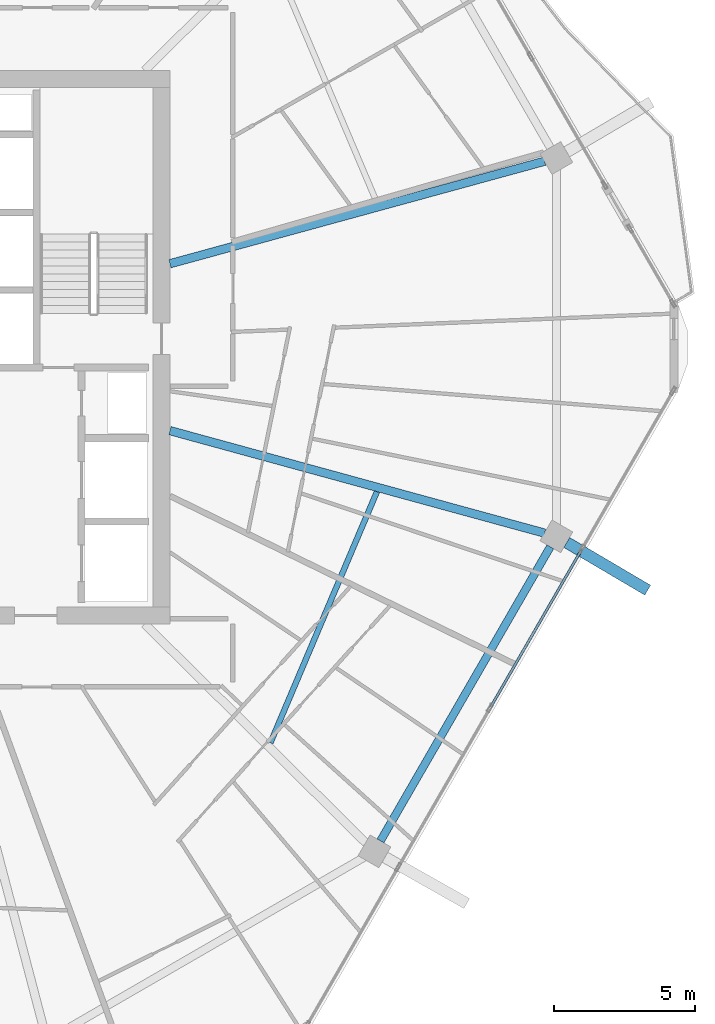
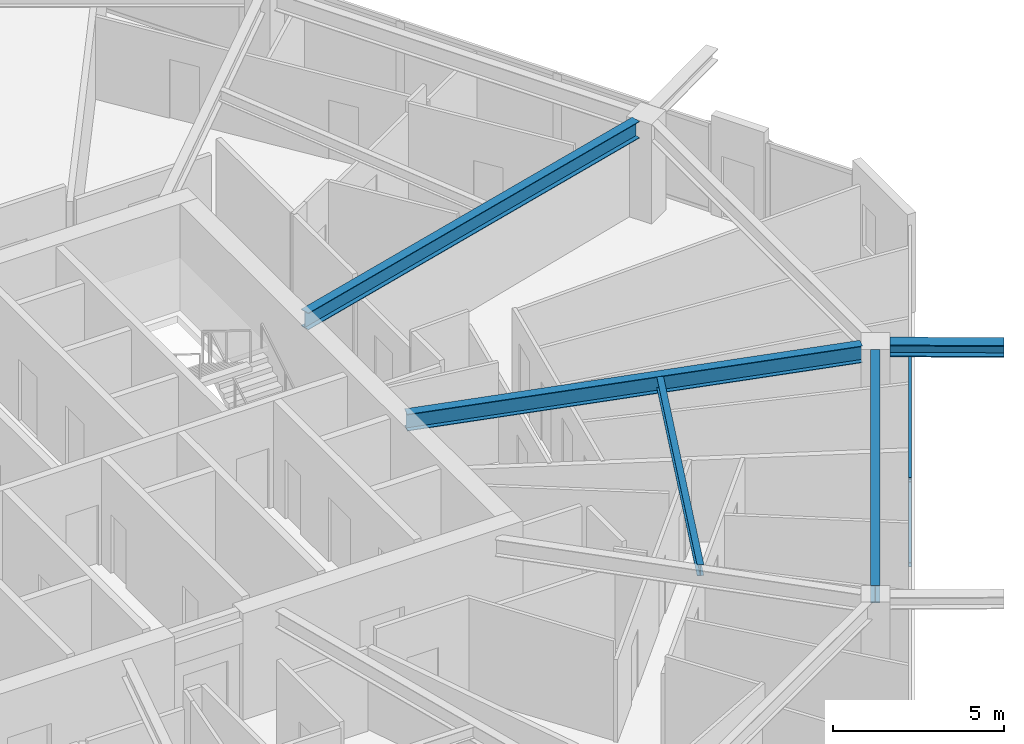
# One storey, part 9 of 26: 5 beams, 2 members, 1 element without a shape of its own.
"""IFC4 building model written with IfcOpenShell, lengths in metres."""

from ifc_helpers import new_model, si_unit, direction, frame, origin, origin_2d, place, context, subcontext, project, spatial, hollow_rectangle, i_section, extrude, material, material_profile, profile_set, type_object, element, aggregate, save


model = new_model("IFC4")

# Units and contexts
model_context = context("Model", 3, precision=1e-05, world=origin(), true_north=direction((0.0, 1.0)))
body_context = subcontext(model_context, "Body", "Model", "MODEL_VIEW")
ifc_project = project(units=[si_unit("LENGTHUNIT", "METRE"), si_unit("AREAUNIT", "SQUARE_METRE"), si_unit("VOLUMEUNIT", "CUBIC_METRE"), si_unit("PLANEANGLEUNIT", "RADIAN"), si_unit("MASSUNIT", "GRAM", prefix="KILO")], contexts=[model_context])

# Site, building, storey
site_placement = place(None, origin())
site = spatial("IfcSite", under=ifc_project, at=site_placement, CompositionType="ELEMENT")
building_placement = place(site_placement, origin())
building = spatial("IfcBuilding", under=site, at=building_placement, Name="Zuhravey Tower", CompositionType="ELEMENT")
storey_placement = place(building_placement, frame((0.0, 0.0, 295.800048828125)))
storey = spatial("IfcBuildingStorey", under=building, at=storey_placement, Name="L75", CompositionType="ELEMENT", Elevation=295.800048828125)

# Curtain wall, members
ifc_material_1 = material(Name="Thermally broken anodised aluminium", Category="aluminium")
curtain_wall_type = type_object("IfcCurtainWallType", Name="Zone 3-4 High-Rise Curtain Wall CW4", PredefinedType="NOTDEFINED", material=ifc_material_1)
curtain_wall_placement = place(storey_placement, origin())
curtain_wall = element("IfcCurtainWall", 1, at=curtain_wall_placement, inside=storey, type_object=curtain_wall_type, Name="L75 CW4 CW-L75-F6-1", PredefinedType="NOTDEFINED")
ifc_material_2 = material(Name="Anodised aluminium", Category="aluminium")
ifc_material_profile_1 = material_profile(ifc_material_2, hollow_rectangle(XDim=0.090087890625, YDim=0.14990234375, WallThickness=0.0048828125, at=origin_2d()), Name="ALU-RHS-90x150x5")
ifc_profile_set_1 = profile_set([ifc_material_profile_1], Name="Anodised aluminium")
member_type = type_object("IfcMemberType", Name="Curtain-Wall Transom 90x150", PredefinedType="USERDEFINED", material=ifc_profile_set_1)
member_1_placement = place(storey_placement, frame((61.369384765625, 24.81396484375, 0.044921875), z_axis=(-0.499998017366, -0.866026548456, 0.0), x_axis=(0.866026548456, -0.499998017366, 0.0)))
member_1 = element("IfcMember", 2, at=member_1_placement, type_object=member_type, Name="CW4 transom 2.1", ObjectType="TRANSOM", PredefinedType="USERDEFINED", context=body_context, shape_type="SweptSolid", body=[
    extrude(hollow_rectangle(XDim=0.090087890625, YDim=0.14990234375, WallThickness=0.0048828125, at=origin_2d()), origin(), (0.0, 0.0, 1.0), 6.41650390625),
])
member_2_placement = place(storey_placement, frame((61.369384765625, 24.81396484375, 3.076904296875), z_axis=(-0.499998017366, -0.866026548456, 0.0), x_axis=(0.866026548456, -0.499998017366, 0.0)))
member_2 = element("IfcMember", 3, at=member_2_placement, type_object=member_type, Name="CW4 transom 2.2", ObjectType="TRANSOM", PredefinedType="USERDEFINED", context=body_context, shape_type="SweptSolid", body=[
    extrude(hollow_rectangle(XDim=0.090087890625, YDim=0.14990234375, WallThickness=0.0048828125, at=origin_2d()), origin(), (0.0, 0.0, 1.0), 6.41650390625),
])
aggregate(curtain_wall, [member_1, member_2])

# Beams
ifc_material_3 = material(Name="Steel SM460", Category="steel")
ifc_material_profile_2 = material_profile(ifc_material_3, i_section(OverallWidth=0.406982421875, OverallDepth=0.427978515625, WebThickness=0.02001953125, FlangeThickness=0.034912109375, at=origin_2d()), Name="H-428x407x20x35")
ifc_profile_set_2 = profile_set([ifc_material_profile_2], Name="Steel SM460")
beam_type_1 = type_object("IfcBeamType", Name="Exoskeleton Node Tie Beam H428x407", PredefinedType="BEAM", material=ifc_profile_set_2)
beam_1_placement = place(storey_placement, frame((60.854248046875, 25.083251953125, 3.3359375), z_axis=(0.861603813427, -0.507581391195, 0.0), x_axis=(0.507581391195, 0.861603813427, 0.0)))
element("IfcBeam", 4, at=beam_1_placement, inside=storey, type_object=beam_type_1, Name="L75 Exoskeleton Node Tie NT1-12", PredefinedType="BEAM", context=body_context, shape_type="SweptSolid", body=[
    extrude(i_section(OverallWidth=0.406982421875, OverallDepth=0.427978515625, WebThickness=0.02001953125, FlangeThickness=0.034912109375, at=origin_2d()), origin(), (0.0, 0.0, 1.0), 3.325927734375),
])
ifc_material_4 = material(Name="Steel SM355", Category="steel")
ifc_material_profile_3 = material_profile(ifc_material_4, i_section(OverallWidth=0.280029296875, OverallDepth=0.6201171875, WebThickness=0.011962890625, FlangeThickness=0.02001953125, at=origin_2d()), Name="H-620x280x12x20")
ifc_profile_set_3 = profile_set([ifc_material_profile_3], Name="Steel SM355")
beam_type_2 = type_object("IfcBeamType", Name="Perimeter Ring Beam H620x280", PredefinedType="BEAM", material=ifc_profile_set_3)
beam_2_placement = place(storey_placement, frame((54.257568359375, 14.515869140625, 3.239990234375), z_axis=(0.500005971936, 0.866021955858, 0.0), x_axis=(-0.866021955858, 0.500005971936, 0.0)))
element("IfcBeam", 5, at=beam_2_placement, inside=storey, type_object=beam_type_2, Name="L75 PB3 BM-L75-PB-11", PredefinedType="BEAM", context=body_context, shape_type="SweptSolid", body=[
    extrude(i_section(OverallWidth=0.280029296875, OverallDepth=0.6201171875, WebThickness=0.011962890625, FlangeThickness=0.02001953125, at=origin_2d()), origin(), (0.0, 0.0, 1.0), 12.025634765625),
])
ifc_material_profile_4 = material_profile(ifc_material_4, i_section(OverallWidth=0.300048828125, OverallDepth=0.60009765625, WebThickness=0.011962890625, FlangeThickness=0.02001953125, at=origin_2d()), Name="H-600x300x12x20")
ifc_profile_set_4 = profile_set([ifc_material_profile_4], Name="Steel SM355")
beam_type_3 = type_object("IfcBeamType", Name="Radial Primary Girder H600x300", PredefinedType="BEAM", material=ifc_profile_set_4)
for number, where, z_axis, x_axis, name in (
    (6, (46.802978515625, 34.95556640625, 3.25), (0.964549305009, 0.263902705947, 0.0), (-0.263902705947, 0.964549305009, 0.0), "L75 RG3 BM-L75-RAD-01"),
    (7, (46.802978515625, 29.04443359375, 3.25), (0.964549305009, -0.263902705947, 0.0), (0.263902705947, 0.964549305009, 0.0), "L75 RG3 BM-L75-RAD-12"),
):
    element("IfcBeam", number, at=place(storey_placement, frame(where, z_axis=z_axis, x_axis=x_axis)), inside=storey, type_object=beam_type_3, Name=name, PredefinedType="BEAM", context=body_context, shape_type="SweptSolid", body=[
        extrude(i_section(OverallWidth=0.300048828125, OverallDepth=0.60009765625, WebThickness=0.011962890625, FlangeThickness=0.02001953125, at=origin_2d()), origin(), (0.0, 0.0, 1.0), 13.756591796875),
    ])
ifc_material_profile_5 = material_profile(ifc_material_4, i_section(OverallWidth=0.199951171875, OverallDepth=0.39990234375, WebThickness=0.008056640625, FlangeThickness=0.012939453125, at=origin_2d()), Name="H-400x200x8x13")
ifc_profile_set_5 = profile_set([ifc_material_profile_5], Name="Steel SM355")
beam_type_4 = type_object("IfcBeamType", Name="Secondary Floor Joist H400x200", PredefinedType="JOIST", material=ifc_profile_set_5)
beam_3_placement = place(storey_placement, frame((50.36083984375, 17.990966796875, 3.349853515625), z_axis=(0.390413493754, 0.920639616731, 0.0), x_axis=(-0.920639616731, 0.390413493754, 0.0)))
element("IfcBeam", 8, at=beam_3_placement, inside=storey, type_object=beam_type_4, Name="L75 SJ2 BM-L75-SJ-11-1", PredefinedType="JOIST", context=body_context, shape_type="SweptSolid", body=[
    extrude(i_section(OverallWidth=0.199951171875, OverallDepth=0.39990234375, WebThickness=0.008056640625, FlangeThickness=0.012939453125, at=origin_2d()), origin(), (0.0, 0.0, 1.0), 9.656494140625),
])

save(model, "model.ifc")
